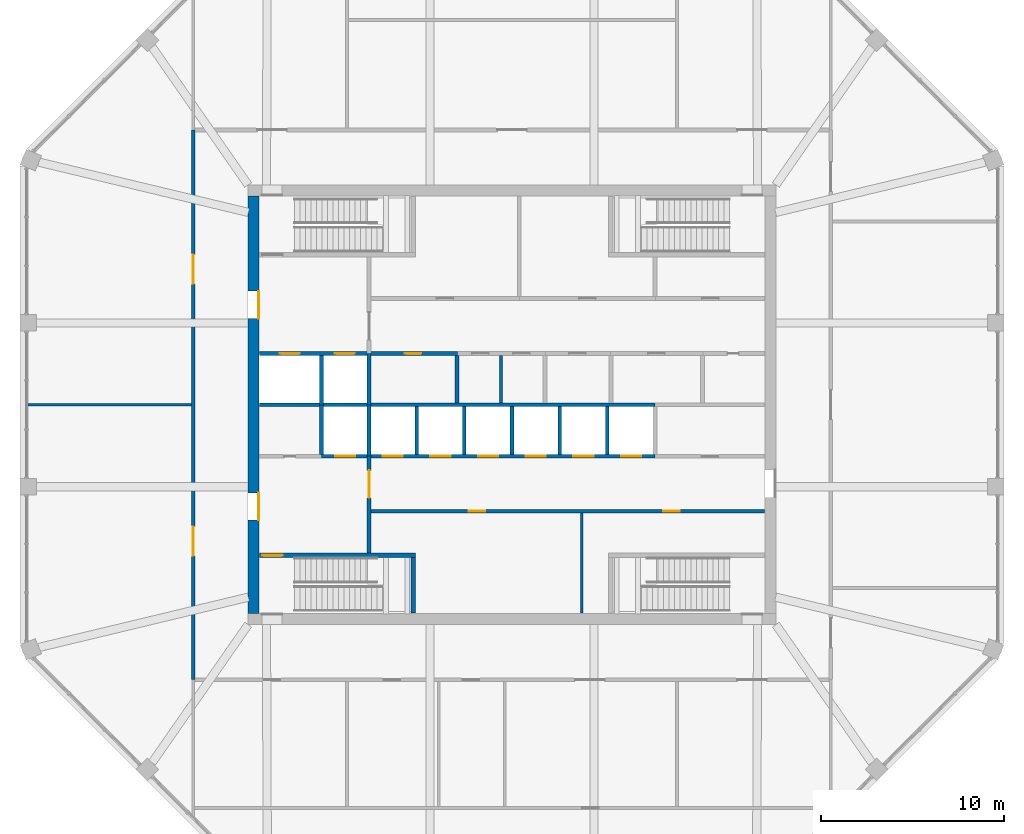
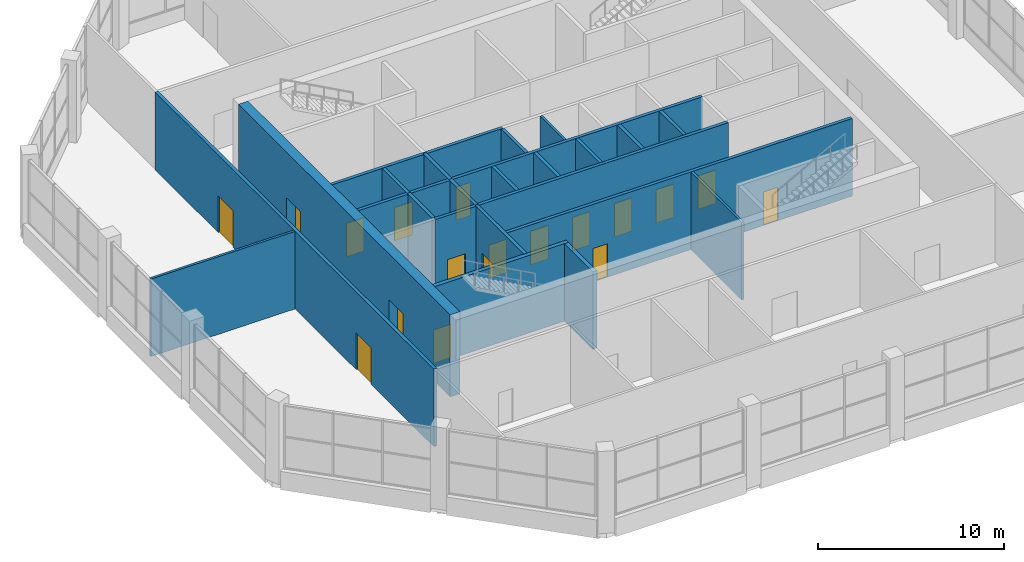
# One storey, part 12 of 15: 23 walls, 18 doors, 18 openings.
"""IFC4 building model written with IfcOpenShell, lengths in metres."""

import ifcopenshell
import ifcopenshell.guid

model = None  # the IFC model being written
_history = None  # IfcOwnerHistory: only IFC2X3 demands one
_inside = {}  # id of a spatial element -> (the spatial element, [elements in it])
_under = {}  # id of a project, library or spatial element -> (it, [spatial elements below it])
_declared = {}  # id of a project -> (the project, [libraries it declares])
_typed = {}  # id of a type object -> (the type object, [elements of that type])
_made_of = {}  # id of a material, layer set ... -> (it, [elements and type objects made of it])


def new_model(schema):
    """Start an empty IFC model of exactly this schema.

    Asked for "IFC4X3", IfcOpenShell would pick the latest addendum, in which some entities
    have other attributes; the version numbers below select the first issue.
    IFC2X3 requires an IfcOwnerHistory on every rooted entity: one is made here for all.
    """
    global model, _history
    if schema == "IFC4X3":
        model = ifcopenshell.file(schema_version=(4, 3, 0, 0))
    else:
        model = ifcopenshell.file(schema=schema)
    _inside.clear()
    _under.clear()
    _declared.clear()
    _typed.clear()
    _made_of.clear()
    _history = None
    if model.schema == "IFC2X3":
        org = make("IfcOrganization", Name="unknown")
        user = make(
            "IfcPersonAndOrganization",
            ThePerson=make("IfcPerson", FamilyName="unknown"),
            TheOrganization=org,
        )
        app = make(
            "IfcApplication",
            ApplicationDeveloper=org,
            Version="unknown",
            ApplicationFullName="unknown",
            ApplicationIdentifier="unknown",
        )
        _history = make(
            "IfcOwnerHistory",
            OwningUser=user,
            OwningApplication=app,
            ChangeAction="ADDED",
            CreationDate=0,
        )
    return model


def make(cls, **values):
    """One entity of the class cls with the attributes given. An attribute that is None is left unset."""
    return model.create_entity(
        cls, **{name: value for name, value in values.items() if value is not None}
    )


def rooted(cls, **values):
    """An entity with a GlobalId (a new one), such as an element, a storey or a relation."""
    return make(cls, GlobalId=ifcopenshell.guid.new(), OwnerHistory=_history, **values)


def si_unit(unit_type, name, prefix=None):
    """IfcSIUnit, for example si_unit("LENGTHUNIT", "METRE", prefix="MILLI")."""
    return make("IfcSIUnit", UnitType=unit_type, Prefix=prefix, Name=name)


def assignment(units):
    """IfcUnitAssignment: the units of a project."""
    return None if units is None else make("IfcUnitAssignment", Units=units)


def point(xyz):
    """IfcCartesianPoint."""
    return None if xyz is None else make("IfcCartesianPoint", Coordinates=xyz)


def direction(xyz):
    """IfcDirection."""
    return None if xyz is None else make("IfcDirection", DirectionRatios=xyz)


def frame(location, z_axis=None, x_axis=None):
    """IfcAxis2Placement3D, a coordinate frame: its origin and axes. An axis left out is left unset."""
    return make(
        "IfcAxis2Placement3D",
        Location=point(location),
        Axis=direction(z_axis),
        RefDirection=direction(x_axis),
    )


def frame_2d(location, x_axis=None):
    """IfcAxis2Placement2D, a coordinate frame in the plane: its origin and x axis."""
    return make(
        "IfcAxis2Placement2D", Location=point(location), RefDirection=direction(x_axis)
    )


def origin():
    """The frame at (0, 0, 0) with its axes left unset."""
    return frame((0.0, 0.0, 0.0))


def place(relative_to, where):
    """IfcLocalPlacement: puts the frame where relative to a parent placement (None: the world)."""
    return make(
        "IfcLocalPlacement", PlacementRelTo=relative_to, RelativePlacement=where
    )


def context(
    kind, dimensions, precision=None, world=None, true_north=None, identifier=None
):
    """IfcGeometricRepresentationContext, for example the 3D "Model" context."""
    return make(
        "IfcGeometricRepresentationContext",
        ContextIdentifier=identifier,
        ContextType=kind,
        CoordinateSpaceDimension=dimensions,
        Precision=precision,
        WorldCoordinateSystem=world,
        TrueNorth=true_north,
    )


def subcontext(parent, identifier, kind, view, scale=None):
    """IfcGeometricRepresentationSubContext, for example "Body" below "Model"."""
    return make(
        "IfcGeometricRepresentationSubContext",
        ContextIdentifier=identifier,
        ContextType=kind,
        ParentContext=parent,
        TargetScale=scale,
        TargetView=view,
    )


def project(units=None, contexts=None):
    """IfcProject with its units and contexts."""
    return rooted(
        "IfcProject",
        Name="project",
        RepresentationContexts=contexts,
        UnitsInContext=assignment(units),
    )


def spatial(cls, under=None, at=None, **own):
    """A site, building, storey or space (cls), placed at a placement, below another one or the project."""
    s = rooted(cls, ObjectPlacement=at, **own)
    if under is not None:
        _under.setdefault(under.id(), (under, []))[1].append(s)
    return s


def profile(cls, at=None, kind="AREA", **sizes):
    """A parametric profile (cls). Its sizes go by their IFC names, for example OverallWidth=200.0."""
    return make(cls, ProfileType=kind, Position=at, **sizes)


def rectangle(**sizes):
    """IfcRectangleProfileDef."""
    return profile("IfcRectangleProfileDef", **sizes)


def extrude(swept, where, along, depth):
    """IfcExtrudedAreaSolid: the profile swept, set in the frame where, extruded along a direction by depth."""
    return make(
        "IfcExtrudedAreaSolid",
        SweptArea=swept,
        Position=where,
        ExtrudedDirection=direction(along),
        Depth=depth,
    )


def shape(context_of_items, identifier, shape_type, items):
    """IfcShapeRepresentation: the items that make up one representation, for example the "Body"."""
    return make(
        "IfcShapeRepresentation",
        ContextOfItems=context_of_items,
        RepresentationIdentifier=identifier,
        RepresentationType=shape_type,
        Items=items,
    )


def material(Name=None, Category=None):
    """IfcMaterial."""
    return make("IfcMaterial", Name=Name, Category=Category)


def layer(
    of_material, thickness, ventilated=None, Name=None, Category=None, Priority=None
):
    """IfcMaterialLayer: one layer of a wall or slab, of a material (None: an air gap)."""
    return make(
        "IfcMaterialLayer",
        Material=of_material,
        LayerThickness=thickness,
        IsVentilated=ventilated,
        Name=Name,
        Category=Category,
        Priority=Priority,
    )


def layer_set(layers, Name=None):
    """IfcMaterialLayerSet."""
    return make("IfcMaterialLayerSet", MaterialLayers=layers, LayerSetName=Name)


def made_of(thing, what):
    """Note that an element or type object is made of a material, layer set ...; save() writes the relation."""
    if what is not None:
        _made_of.setdefault(what.id(), (what, []))[1].append(thing)
    return thing


def type_object(cls, material=None, **own):
    """A type object (cls), such as IfcWallType, which elements share."""
    return made_of(rooted(cls, **own), material)


def element(
    cls,
    number,
    at=None,
    inside=None,
    cuts=None,
    type_object=None,
    material=None,
    context=None,
    identifier="Body",
    shape_type=None,
    held_by="IfcProductDefinitionShape",
    body=None,
    shapes=None,
    **own,
):
    """One element of the class cls, such as IfcWall. Its Tag is "e" and its number.

    at: its placement. inside: the storey or other place that contains it. cuts: it is an
    opening in that element (IfcRelVoidsElement). A single representation is given by context,
    identifier, shape_type and body (its items); several are given by shapes. held_by: the class
    of the entity that holds the representations. save() writes the other relations.
    """
    e = rooted(cls, Tag="e%d" % number, ObjectPlacement=at, **own)
    if body is not None:
        shapes = [shape(context, identifier, shape_type, body)]
    if shapes is not None:
        e.Representation = make(held_by, Representations=shapes)
    if inside is not None:
        _inside.setdefault(inside.id(), (inside, []))[1].append(e)
    if cuts is not None:
        rooted(
            "IfcRelVoidsElement", RelatingBuildingElement=cuts, RelatedOpeningElement=e
        )
    if type_object is not None:
        _typed.setdefault(type_object.id(), (type_object, []))[1].append(e)
    return made_of(e, material)


def fill(opening, filler):
    """IfcRelFillsElement: the door or window that sits in an opening."""
    return rooted(
        "IfcRelFillsElement",
        RelatingOpeningElement=opening,
        RelatedBuildingElement=filler,
    )


def aggregate(whole, parts):
    """IfcRelAggregates: a whole, such as a stair, and the parts it consists of."""
    return rooted("IfcRelAggregates", RelatingObject=whole, RelatedObjects=parts)


def save(model, path):
    """Write the relations noted so far, then the file.

    IfcRelAggregates (storeys below a building ...), IfcRelContainedInSpatialStructure (elements
    in a storey), IfcRelDefinesByType, IfcRelAssociatesMaterial and IfcRelDeclares: one each for
    every whole, place, type object, material and project.
    """
    for whole, parts in _under.values():
        aggregate(whole, parts)
    for where, things in _inside.values():
        rooted(
            "IfcRelContainedInSpatialStructure",
            RelatedElements=things,
            RelatingStructure=where,
        )
    for kind, things in _typed.values():
        rooted("IfcRelDefinesByType", RelatedObjects=things, RelatingType=kind)
    for what, things in _made_of.values():
        rooted("IfcRelAssociatesMaterial", RelatedObjects=things, RelatingMaterial=what)
    for by, libraries in _declared.values():
        rooted("IfcRelDeclares", RelatingContext=by, RelatedDefinitions=libraries)
    model.write(path)


model = new_model("IFC4")

# Units and contexts
model_context = context("Model", 3, precision=1e-05, world=origin(), true_north=direction((0.0, 1.0)))
body_context = subcontext(model_context, "Body", "Model", "MODEL_VIEW")
ifc_project = project(units=[si_unit("LENGTHUNIT", "METRE"), si_unit("AREAUNIT", "SQUARE_METRE"), si_unit("VOLUMEUNIT", "CUBIC_METRE"), si_unit("PLANEANGLEUNIT", "RADIAN"), si_unit("MASSUNIT", "GRAM", prefix="KILO")], contexts=[model_context])

# Site, building, storey
site_placement = place(None, origin())
site = spatial("IfcSite", under=ifc_project, at=site_placement, CompositionType="ELEMENT")
building_placement = place(site_placement, origin())
building = spatial("IfcBuilding", under=site, at=building_placement, Name="Msitu Wima Residences", CompositionType="ELEMENT")
storey_placement = place(building_placement, frame((0.0, 0.0, 314.699951171875)))
storey = spatial("IfcBuildingStorey", under=building, at=storey_placement, Name="L73", CompositionType="ELEMENT", Elevation=314.699951171875)

# Wall, openings, doors
ifc_material_1 = material(Name="Concrete C50/60", Category="concrete")
ifc_layer_1 = layer(ifc_material_1, 0.60009765625)
ifc_layer_set_1 = layer_set([ifc_layer_1], Name="Concrete C50/60")
wall_type_1 = type_object("IfcWallType", Name="Core wall CW600 C50/60", PredefinedType="SHEAR", material=ifc_layer_set_1)
wall_1_placement = place(storey_placement, frame((-14.10009765625, -11.39990234375, 0.0), z_axis=(0.0, 0.0, 1.0), x_axis=(0.0, 1.0, 0.0)))
wall_1 = element("IfcWall", 1, at=wall_1_placement, inside=storey, type_object=wall_type_1, Name="Core wall", PredefinedType="SHEAR", context=body_context, shape_type="SweptSolid", body=[
    extrude(rectangle(XDim=22.7998046875, YDim=0.60009765625, at=frame_2d((11.39990234375, 0.0))), origin(), (0.0, 0.0, 1.0), 5.400146484375),
])
opening_1_placement = place(wall_1_placement, frame((16.10009765625, 0.0, 0.0)))
opening_1 = element("IfcOpeningElement", 2, at=opening_1_placement, cuts=wall_1, Name="Opening D73.034", PredefinedType="OPENING", context=body_context, shape_type="SweptSolid", body=[
    extrude(rectangle(XDim=1.5, YDim=2.39990234375, at=frame_2d((0.75, 1.199951171875))), frame((0.0, 0.31005859375, 0.0), z_axis=(0.0, -1.0, 0.0), x_axis=(1.0, 0.0, 0.0)), (0.0, 0.0, 1.0), 0.6201171875),
])
opening_2_placement = place(wall_1_placement, frame((5.10009765625, 0.0, 0.0)))
opening_2 = element("IfcOpeningElement", 3, at=opening_2_placement, cuts=wall_1, Name="Opening D73.035", PredefinedType="OPENING", context=body_context, shape_type="SweptSolid", body=[
    extrude(rectangle(XDim=1.5, YDim=2.39990234375, at=frame_2d((0.75, 1.199951171875))), frame((0.0, 0.31005859375, 0.0), z_axis=(0.0, -1.0, 0.0), x_axis=(1.0, 0.0, 0.0)), (0.0, 0.0, 1.0), 0.6201171875),
])
ifc_material_2 = material(Name="Steel framed glazed door, fire resisting", Category="steel")
door_type_1 = type_object("IfcDoorType", Name="Lobby door D07 1500x2400", OperationType="DOUBLE_DOOR_SINGLE_SWING", PredefinedType="DOOR", material=ifc_material_2)
door_1_placement = place(opening_1_placement, origin())
door_1 = element("IfcDoor", 4, at=door_1_placement, inside=storey, type_object=door_type_1, Name="Lobby door", OperationType="DOUBLE_DOOR_SINGLE_SWING", OverallHeight=2.39990234375, OverallWidth=1.5, PredefinedType="DOOR", context=body_context, shape_type="SweptSolid", body=[
    extrude(rectangle(XDim=1.5, YDim=2.39990234375, at=frame_2d((0.75, 1.199951171875))), frame((0.0, -0.2451171875, 0.0), z_axis=(0.0, -1.0, 0.0), x_axis=(1.0, 0.0, 0.0)), (0.0, 0.0, 1.0), 0.050048828125),
])
fill(opening_1, door_1)
door_2_placement = place(opening_2_placement, origin())
door_2 = element("IfcDoor", 5, at=door_2_placement, inside=storey, type_object=door_type_1, Name="Lobby door", OperationType="DOUBLE_DOOR_SINGLE_SWING", OverallHeight=2.39990234375, OverallWidth=1.5, PredefinedType="DOOR", context=body_context, shape_type="SweptSolid", body=[
    extrude(rectangle(XDim=1.5, YDim=2.39990234375, at=frame_2d((0.75, 1.199951171875))), frame((0.0, -0.2451171875, 0.0), z_axis=(0.0, -1.0, 0.0), x_axis=(1.0, 0.0, 0.0)), (0.0, 0.0, 1.0), 0.050048828125),
])
fill(opening_2, door_2)

ifc_material_3 = material(Name="Plaster")
ifc_layer_2 = layer(ifc_material_3, 0.011962890625, Name="Plaster")
ifc_material_4 = material(Name="Concrete blockwork", Category="masonry")
ifc_layer_3 = layer(ifc_material_4, 0.176025390625, Name="Concrete blockwork")
ifc_layer_4 = layer(ifc_material_3, 0.011962890625, Name="Plaster")
ifc_layer_set_2 = layer_set([ifc_layer_2, ifc_layer_3, ifc_layer_4], Name="Concrete blockwork")
wall_type_2 = type_object("IfcWallType", Name="Corridor wall FW200", PredefinedType="PARTITIONING", material=ifc_layer_set_2)
wall_2_placement = place(storey_placement, frame((-17.39990234375, -15.0, 0.0), z_axis=(0.0, 0.0, 1.0), x_axis=(0.0, 1.0, 0.0)))
wall_2 = element("IfcWall", 6, at=wall_2_placement, inside=storey, type_object=wall_type_2, Name="Corridor wall", PredefinedType="PARTITIONING", context=body_context, shape_type="SweptSolid", body=[
    extrude(rectangle(XDim=30.0, YDim=0.199951171875, at=frame_2d((15.0, 0.0))), origin(), (0.0, 0.0, 1.0), 5.10009765625),
])
opening_3_placement = place(wall_2_placement, frame((6.75, 0.0, 0.0)))
opening_3 = element("IfcOpeningElement", 7, at=opening_3_placement, cuts=wall_2, Name="Opening D73.025", PredefinedType="OPENING", context=body_context, shape_type="SweptSolid", body=[
    extrude(rectangle(XDim=1.60009765625, YDim=2.39990234375, at=frame_2d((0.800048828125, 1.199951171875))), frame((0.0, 0.10986328125, 0.0), z_axis=(0.0, -1.0, 0.0), x_axis=(1.0, 0.0, 0.0)), (0.0, 0.0, 1.0), 0.219970703125),
])
opening_4_placement = place(wall_2_placement, frame((21.60009765625, 0.0, 0.0)))
opening_4 = element("IfcOpeningElement", 8, at=opening_4_placement, cuts=wall_2, Name="Opening D73.026", PredefinedType="OPENING", context=body_context, shape_type="SweptSolid", body=[
    extrude(rectangle(XDim=1.60009765625, YDim=2.39990234375, at=frame_2d((0.800048828125, 1.199951171875))), frame((0.0, 0.10986328125, 0.0), z_axis=(0.0, -1.0, 0.0), x_axis=(1.0, 0.0, 0.0)), (0.0, 0.0, 1.0), 0.219970703125),
])
ifc_material_5 = material(Name="Black aluminium glazed door", Category="aluminium")
door_type_2 = type_object("IfcDoorType", Name="Amenity door D10 1600x2400", OperationType="DOUBLE_DOOR_SINGLE_SWING", PredefinedType="DOOR", material=ifc_material_5)
door_3_placement = place(opening_3_placement, origin())
door_3 = element("IfcDoor", 9, at=door_3_placement, inside=storey, type_object=door_type_2, Name="Amenity door", OperationType="DOUBLE_DOOR_SINGLE_SWING", OverallHeight=2.39990234375, OverallWidth=1.60009765625, PredefinedType="DOOR", context=body_context, shape_type="SweptSolid", body=[
    extrude(rectangle(XDim=1.60009765625, YDim=2.39990234375, at=frame_2d((0.800048828125, 1.199951171875))), frame((0.0, 0.02490234375, 0.0), z_axis=(0.0, -1.0, 0.0), x_axis=(1.0, 0.0, 0.0)), (0.0, 0.0, 1.0), 0.050048828125),
])
fill(opening_3, door_3)
door_4_placement = place(opening_4_placement, origin())
door_4 = element("IfcDoor", 10, at=door_4_placement, inside=storey, type_object=door_type_2, Name="Amenity door", OperationType="DOUBLE_DOOR_SINGLE_SWING", OverallHeight=2.39990234375, OverallWidth=1.60009765625, PredefinedType="DOOR", context=body_context, shape_type="SweptSolid", body=[
    extrude(rectangle(XDim=1.60009765625, YDim=2.39990234375, at=frame_2d((0.800048828125, 1.199951171875))), frame((0.0, 0.02490234375, 0.0), z_axis=(0.0, -1.0, 0.0), x_axis=(1.0, 0.0, 0.0)), (0.0, 0.0, 1.0), 0.050048828125),
])
fill(opening_4, door_4)

# Wall, opening, door
wall_3_placement = place(storey_placement, frame((-7.800048828125, -8.074951171875, 0.0), z_axis=(0.0, 0.0, 1.0), x_axis=(0.0, 1.0, 0.0)))
wall_3 = element("IfcWall", 11, at=wall_3_placement, inside=storey, type_object=wall_type_2, Name="Corridor wall", PredefinedType="PARTITIONING", context=body_context, shape_type="SweptSolid", body=[
    extrude(rectangle(XDim=5.27490234375, YDim=0.199951171875, at=frame_2d((2.637451171875, 0.0))), origin(), (0.0, 0.0, 1.0), 5.10009765625),
])
opening_5_placement = place(wall_3_placement, frame((3.0, 0.0, 0.0)))
opening_5 = element("IfcOpeningElement", 12, at=opening_5_placement, cuts=wall_3, Name="Opening D73.003", PredefinedType="OPENING", context=body_context, shape_type="SweptSolid", body=[
    extrude(rectangle(XDim=1.5, YDim=2.39990234375, at=frame_2d((0.75, 1.199951171875))), frame((0.0, 0.10986328125, 0.0), z_axis=(0.0, -1.0, 0.0), x_axis=(1.0, 0.0, 0.0)), (0.0, 0.0, 1.0), 0.219970703125),
])
door_5_placement = place(opening_5_placement, origin())
door_5 = element("IfcDoor", 13, at=door_5_placement, inside=storey, type_object=door_type_1, Name="Lobby door", OperationType="DOUBLE_DOOR_SINGLE_SWING", OverallHeight=2.39990234375, OverallWidth=1.5, PredefinedType="DOOR", context=body_context, shape_type="SweptSolid", body=[
    extrude(rectangle(XDim=1.5, YDim=2.39990234375, at=frame_2d((0.75, 1.199951171875))), frame((0.0, 0.02490234375, 0.0), z_axis=(0.0, -1.0, 0.0), x_axis=(1.0, 0.0, 0.0)), (0.0, 0.0, 1.0), 0.050048828125),
])
fill(opening_5, door_5)

# Wall, openings, doors
wall_4_placement = place(storey_placement, frame((-7.699951171875, -5.800048828125, 0.0), z_axis=(0.0, 0.0, 1.0), x_axis=(1.0, 0.0, 0.0)))
wall_4 = element("IfcWall", 14, at=wall_4_placement, inside=storey, type_object=wall_type_2, Name="Corridor wall", PredefinedType="PARTITIONING", context=body_context, shape_type="SweptSolid", body=[
    extrude(rectangle(XDim=21.469970703125, YDim=0.199951171875, at=frame_2d((10.73486328125, 0.0))), origin(), (0.0, 0.0, 1.0), 5.10009765625),
])
opening_6_placement = place(wall_4_placement, frame((5.35009765625, 0.0, 0.0)))
opening_6 = element("IfcOpeningElement", 15, at=opening_6_placement, cuts=wall_4, Name="Opening D73.007", PredefinedType="OPENING", context=body_context, shape_type="SweptSolid", body=[
    extrude(rectangle(XDim=0.89990234375, YDim=2.199951171875, at=frame_2d((0.449951171875, 1.10009765625))), frame((0.0, 0.10986328125, 0.0), z_axis=(0.0, -1.0, 0.0), x_axis=(1.0, 0.0, 0.0)), (0.0, 0.0, 1.0), 0.219970703125),
])
opening_7_placement = place(wall_4_placement, frame((15.949951171875, 0.0, 0.0)))
opening_7 = element("IfcOpeningElement", 16, at=opening_7_placement, cuts=wall_4, Name="Opening D73.008", PredefinedType="OPENING", context=body_context, shape_type="SweptSolid", body=[
    extrude(rectangle(XDim=0.89990234375, YDim=2.199951171875, at=frame_2d((0.449951171875, 1.10009765625))), frame((0.0, 0.10986328125, 0.0), z_axis=(0.0, -1.0, 0.0), x_axis=(1.0, 0.0, 0.0)), (0.0, 0.0, 1.0), 0.219970703125),
])
ifc_material_6 = material(Name="Timber flush door", Category="wood")
door_type_3 = type_object("IfcDoorType", Name="Service door D05 900x2200", OperationType="SINGLE_SWING_LEFT", PredefinedType="DOOR", material=ifc_material_6)
door_6_placement = place(opening_6_placement, origin())
door_6 = element("IfcDoor", 17, at=door_6_placement, inside=storey, type_object=door_type_3, Name="Service door", OperationType="SINGLE_SWING_RIGHT", OverallHeight=2.199951171875, OverallWidth=0.89990234375, PredefinedType="DOOR", context=body_context, shape_type="SweptSolid", body=[
    extrude(rectangle(XDim=0.89990234375, YDim=2.199951171875, at=frame_2d((0.449951171875, 1.10009765625))), frame((0.0, 0.02490234375, 0.0), z_axis=(0.0, -1.0, 0.0), x_axis=(1.0, 0.0, 0.0)), (0.0, 0.0, 1.0), 0.050048828125),
])
fill(opening_6, door_6)
door_7_placement = place(opening_7_placement, origin())
door_7 = element("IfcDoor", 18, at=door_7_placement, inside=storey, type_object=door_type_3, Name="Service door", OperationType="SINGLE_SWING_LEFT", OverallHeight=2.199951171875, OverallWidth=0.89990234375, PredefinedType="DOOR", context=body_context, shape_type="SweptSolid", body=[
    extrude(rectangle(XDim=0.89990234375, YDim=2.199951171875, at=frame_2d((0.449951171875, 1.10009765625))), frame((0.0, 0.02490234375, 0.0), z_axis=(0.0, -1.0, 0.0), x_axis=(1.0, 0.0, 0.0)), (0.0, 0.0, 1.0), 0.050048828125),
])
fill(opening_7, door_7)

# Walls
ifc_layer_5 = layer(ifc_material_3, 0.011962890625, Name="Plaster")
ifc_layer_6 = layer(ifc_material_4, 0.1259765625, Name="Concrete blockwork")
ifc_layer_7 = layer(ifc_material_3, 0.011962890625, Name="Plaster")
ifc_layer_set_3 = layer_set([ifc_layer_5, ifc_layer_6, ifc_layer_7], Name="Concrete blockwork")
wall_type_3 = type_object("IfcWallType", Name="Partition PW150", PredefinedType="PARTITIONING", material=ifc_layer_set_3)
wall_5_placement = place(storey_placement, frame((-26.455078125, 0.0, 0.0), z_axis=(0.0, 0.0, 1.0), x_axis=(1.0, 0.0, 0.0)))
element("IfcWall", 19, at=wall_5_placement, inside=storey, type_object=wall_type_3, Name="Partition", PredefinedType="PARTITIONING", context=body_context, shape_type="SweptSolid", body=[
    extrude(rectangle(XDim=8.955078125, YDim=0.14990234375, at=frame_2d((4.4775390625, 0.0))), origin(), (0.0, 0.0, 1.0), 5.10009765625),
])
wall_6_placement = place(storey_placement, frame((-0.60009765625, 0.10009765625, 0.0), z_axis=(0.0, 0.0, 1.0), x_axis=(0.0, 1.0, 0.0)))
element("IfcWall", 20, at=wall_6_placement, inside=storey, type_object=wall_type_3, Name="Partition", PredefinedType="PARTITIONING", context=body_context, shape_type="SweptSolid", body=[
    extrude(rectangle(XDim=2.599853515625, YDim=0.14990234375, at=frame_2d((1.2998046875, 0.0))), origin(), (0.0, 0.0, 1.0), 5.10009765625),
])
wall_7_placement = place(storey_placement, frame((3.800048828125, -11.3701171875, 0.0), z_axis=(0.0, 0.0, 1.0), x_axis=(0.0, 1.0, 0.0)))
element("IfcWall", 21, at=wall_7_placement, inside=storey, type_object=wall_type_3, Name="Partition", PredefinedType="PARTITIONING", context=body_context, shape_type="SweptSolid", body=[
    extrude(rectangle(XDim=5.47021484375, YDim=0.14990234375, at=frame_2d((2.735107421875, 0.0))), origin(), (0.0, 0.0, 1.0), 5.10009765625),
])

# Wall, opening, door
ifc_layer_8 = layer(ifc_material_3, 0.011962890625, Name="Plaster")
ifc_material_7 = material(Name="Reinforced concrete blockwork", Category="masonry")
ifc_layer_9 = layer(ifc_material_7, 0.176025390625, Name="Reinforced concrete blockwork")
ifc_layer_10 = layer(ifc_material_3, 0.011962890625, Name="Plaster")
ifc_layer_set_4 = layer_set([ifc_layer_8, ifc_layer_9, ifc_layer_10], Name="Reinforced concrete blockwork")
wall_type_4 = type_object("IfcWallType", Name="Plant and riser wall PL200", PredefinedType="PARTITIONING", material=ifc_layer_set_4)
wall_8_placement = place(storey_placement, frame((-7.800048828125, 2.800048828125, 0.0), z_axis=(0.0, 0.0, 1.0), x_axis=(1.0, 0.0, 0.0)))
wall_8 = element("IfcWall", 22, at=wall_8_placement, inside=storey, type_object=wall_type_4, Name="Plant and riser wall", PredefinedType="PARTITIONING", context=body_context, shape_type="SweptSolid", body=[
    extrude(rectangle(XDim=4.820068359375, YDim=0.199951171875, at=frame_2d((2.41015625, 0.0))), origin(), (0.0, 0.0, 1.0), 5.10009765625),
])
opening_8_placement = place(wall_8_placement, frame((1.949951171875, 0.0, 0.0)))
opening_8 = element("IfcOpeningElement", 23, at=opening_8_placement, cuts=wall_8, Name="Opening D73.009", PredefinedType="OPENING", context=body_context, shape_type="SweptSolid", body=[
    extrude(rectangle(XDim=0.89990234375, YDim=2.199951171875, at=frame_2d((0.449951171875, 1.10009765625))), frame((0.0, 0.10986328125, 0.0), z_axis=(0.0, -1.0, 0.0), x_axis=(1.0, 0.0, 0.0)), (0.0, 0.0, 1.0), 0.219970703125),
])
door_8_placement = place(opening_8_placement, origin())
door_8 = element("IfcDoor", 24, at=door_8_placement, inside=storey, type_object=door_type_3, Name="Service door", OperationType="SINGLE_SWING_RIGHT", OverallHeight=2.199951171875, OverallWidth=0.89990234375, PredefinedType="DOOR", context=body_context, shape_type="SweptSolid", body=[
    extrude(rectangle(XDim=0.89990234375, YDim=2.199951171875, at=frame_2d((0.449951171875, 1.10009765625))), frame((0.0, 0.02490234375, 0.0), z_axis=(0.0, -1.0, 0.0), x_axis=(1.0, 0.0, 0.0)), (0.0, 0.0, 1.0), 0.050048828125),
])
fill(opening_8, door_8)

# Walls
wall_9_placement = place(storey_placement, frame((-3.0, 0.10009765625, 0.0), z_axis=(0.0, 0.0, 1.0), x_axis=(0.0, 1.0, 0.0)))
element("IfcWall", 25, at=wall_9_placement, inside=storey, type_object=wall_type_4, Name="Plant and riser wall", PredefinedType="PARTITIONING", context=body_context, shape_type="SweptSolid", body=[
    extrude(rectangle(XDim=2.599853515625, YDim=0.199951171875, at=frame_2d((1.2998046875, 0.0))), origin(), (0.0, 0.0, 1.0), 5.10009765625),
])
ifc_material_8 = material(Name="Fire-rated board")
ifc_layer_11 = layer(ifc_material_8, 0.02490234375, Name="Fire-rated board")
ifc_material_9 = material(Name="Light-gauge stud framing with mineral wool")
ifc_layer_12 = layer(ifc_material_9, 0.14990234375, Name="Light-gauge stud framing with mineral wool")
ifc_layer_13 = layer(ifc_material_8, 0.02490234375, Name="Fire-rated board")
ifc_layer_set_5 = layer_set([ifc_layer_11, ifc_layer_12, ifc_layer_13], Name="Light-gauge stud framing with mineral wool")
wall_type_5 = type_object("IfcWallType", Name="Shaft wall SH200", PredefinedType="PARTITIONING", material=ifc_layer_set_5)
wall_10_placement = place(storey_placement, frame((-13.77001953125, 0.0, 0.0), z_axis=(0.0, 0.0, 1.0), x_axis=(1.0, 0.0, 0.0)))
element("IfcWall", 26, at=wall_10_placement, inside=storey, type_object=wall_type_5, Name="Shaft wall", PredefinedType="PARTITIONING", context=body_context, shape_type="SweptSolid", body=[
    extrude(rectangle(XDim=21.570068359375, YDim=0.199951171875, at=frame_2d((10.78515625, 0.0))), origin(), (0.0, 0.0, 1.0), 5.10009765625),
])

# Wall, openings, doors
wall_11_placement = place(storey_placement, frame((-13.77001953125, 2.800048828125, 0.0), z_axis=(0.0, 0.0, 1.0), x_axis=(1.0, 0.0, 0.0)))
wall_11 = element("IfcWall", 27, at=wall_11_placement, inside=storey, type_object=wall_type_5, Name="Shaft wall", PredefinedType="PARTITIONING", context=body_context, shape_type="SweptSolid", body=[
    extrude(rectangle(XDim=5.969970703125, YDim=0.199951171875, at=frame_2d((2.98486328125, 0.0))), origin(), (0.0, 0.0, 1.0), 5.10009765625),
])
opening_9_placement = place(wall_11_placement, frame((1.10009765625, 0.0, 0.0)))
opening_9 = element("IfcOpeningElement", 28, at=opening_9_placement, cuts=wall_11, Name="Opening LD", PredefinedType="OPENING", context=body_context, shape_type="SweptSolid", body=[
    extrude(rectangle(XDim=1.10009765625, YDim=2.199951171875, at=frame_2d((0.550048828125, 1.10009765625))), frame((0.0, 0.10986328125, 0.0), z_axis=(0.0, -1.0, 0.0), x_axis=(1.0, 0.0, 0.0)), (0.0, 0.0, 1.0), 0.219970703125),
])
opening_10_placement = place(wall_11_placement, frame((4.10009765625, 0.0, 0.0)))
opening_10 = element("IfcOpeningElement", 29, at=opening_10_placement, cuts=wall_11, Name="Opening LD", PredefinedType="OPENING", context=body_context, shape_type="SweptSolid", body=[
    extrude(rectangle(XDim=1.10009765625, YDim=2.199951171875, at=frame_2d((0.550048828125, 1.10009765625))), frame((0.0, 0.10986328125, 0.0), z_axis=(0.0, -1.0, 0.0), x_axis=(1.0, 0.0, 0.0)), (0.0, 0.0, 1.0), 0.219970703125),
])
ifc_material_10 = material(Name="Stainless steel centre-opening landing door, rated", Category="steel")
door_type_4 = type_object("IfcDoorType", Name="Lift landing door LD 1100x2200", OperationType="DOUBLE_DOOR_SLIDING", PredefinedType="DOOR", material=ifc_material_10)
door_9_placement = place(opening_9_placement, origin())
door_9 = element("IfcDoor", 30, at=door_9_placement, inside=storey, type_object=door_type_4, Name="Lift landing door LD1", OperationType="DOUBLE_DOOR_SLIDING", OverallHeight=2.199951171875, OverallWidth=1.10009765625, PredefinedType="DOOR", context=body_context, shape_type="SweptSolid", body=[
    extrude(rectangle(XDim=1.10009765625, YDim=2.199951171875, at=frame_2d((0.550048828125, 1.10009765625))), frame((0.0, 0.02490234375, 0.0), z_axis=(0.0, -1.0, 0.0), x_axis=(1.0, 0.0, 0.0)), (0.0, 0.0, 1.0), 0.050048828125),
])
fill(opening_9, door_9)
door_10_placement = place(opening_10_placement, origin())
door_10 = element("IfcDoor", 31, at=door_10_placement, inside=storey, type_object=door_type_4, Name="Lift landing door LD2", OperationType="DOUBLE_DOOR_SLIDING", OverallHeight=2.199951171875, OverallWidth=1.10009765625, PredefinedType="DOOR", context=body_context, shape_type="SweptSolid", body=[
    extrude(rectangle(XDim=1.10009765625, YDim=2.199951171875, at=frame_2d((0.550048828125, 1.10009765625))), frame((0.0, 0.02490234375, 0.0), z_axis=(0.0, -1.0, 0.0), x_axis=(1.0, 0.0, 0.0)), (0.0, 0.0, 1.0), 0.050048828125),
])
fill(opening_10, door_10)

# Wall
wall_12_placement = place(storey_placement, frame((-10.39990234375, -2.699951171875, 0.0), z_axis=(0.0, 0.0, 1.0), x_axis=(0.0, 1.0, 0.0)))
element("IfcWall", 32, at=wall_12_placement, inside=storey, type_object=wall_type_5, Name="Shaft wall", PredefinedType="PARTITIONING", context=body_context, shape_type="SweptSolid", body=[
    extrude(rectangle(XDim=2.699951171875, YDim=0.199951171875, at=frame_2d((1.35009765625, 0.0))), origin(), (0.0, 0.0, 1.0), 5.10009765625),
])

# Wall, openings, doors
wall_13_placement = place(storey_placement, frame((-10.39990234375, -2.800048828125, 0.0), z_axis=(0.0, 0.0, 1.0), x_axis=(1.0, 0.0, 0.0)))
wall_13 = element("IfcWall", 33, at=wall_13_placement, inside=storey, type_object=wall_type_5, Name="Shaft wall", PredefinedType="PARTITIONING", context=body_context, shape_type="SweptSolid", body=[
    extrude(rectangle(XDim=18.199951171875, YDim=0.199951171875, at=frame_2d((9.10009765625, 0.0))), origin(), (0.0, 0.0, 1.0), 5.10009765625),
])
opening_11_placement = place(wall_13_placement, frame((0.75, 0.0, 0.0)))
opening_11 = element("IfcOpeningElement", 34, at=opening_11_placement, cuts=wall_13, Name="Opening LD", PredefinedType="OPENING", context=body_context, shape_type="SweptSolid", body=[
    extrude(rectangle(XDim=1.10009765625, YDim=2.199951171875, at=frame_2d((0.550048828125, 1.10009765625))), frame((0.0, 0.10986328125, 0.0), z_axis=(0.0, -1.0, 0.0), x_axis=(1.0, 0.0, 0.0)), (0.0, 0.0, 1.0), 0.219970703125),
])
opening_12_placement = place(wall_13_placement, frame((3.35009765625, 0.0, 0.0)))
opening_12 = element("IfcOpeningElement", 35, at=opening_12_placement, cuts=wall_13, Name="Opening LD", PredefinedType="OPENING", context=body_context, shape_type="SweptSolid", body=[
    extrude(rectangle(XDim=1.10009765625, YDim=2.199951171875, at=frame_2d((0.550048828125, 1.10009765625))), frame((0.0, 0.10986328125, 0.0), z_axis=(0.0, -1.0, 0.0), x_axis=(1.0, 0.0, 0.0)), (0.0, 0.0, 1.0), 0.219970703125),
])
opening_13_placement = place(wall_13_placement, frame((5.949951171875, 0.0, 0.0)))
opening_13 = element("IfcOpeningElement", 36, at=opening_13_placement, cuts=wall_13, Name="Opening LD", PredefinedType="OPENING", context=body_context, shape_type="SweptSolid", body=[
    extrude(rectangle(XDim=1.10009765625, YDim=2.199951171875, at=frame_2d((0.550048828125, 1.10009765625))), frame((0.0, 0.10986328125, 0.0), z_axis=(0.0, -1.0, 0.0), x_axis=(1.0, 0.0, 0.0)), (0.0, 0.0, 1.0), 0.219970703125),
])
opening_14_placement = place(wall_13_placement, frame((8.550048828125, 0.0, 0.0)))
opening_14 = element("IfcOpeningElement", 37, at=opening_14_placement, cuts=wall_13, Name="Opening LD", PredefinedType="OPENING", context=body_context, shape_type="SweptSolid", body=[
    extrude(rectangle(XDim=1.10009765625, YDim=2.199951171875, at=frame_2d((0.550048828125, 1.10009765625))), frame((0.0, 0.10986328125, 0.0), z_axis=(0.0, -1.0, 0.0), x_axis=(1.0, 0.0, 0.0)), (0.0, 0.0, 1.0), 0.219970703125),
])
opening_15_placement = place(wall_13_placement, frame((11.14990234375, 0.0, 0.0)))
opening_15 = element("IfcOpeningElement", 38, at=opening_15_placement, cuts=wall_13, Name="Opening LD", PredefinedType="OPENING", context=body_context, shape_type="SweptSolid", body=[
    extrude(rectangle(XDim=1.10009765625, YDim=2.199951171875, at=frame_2d((0.550048828125, 1.10009765625))), frame((0.0, 0.10986328125, 0.0), z_axis=(0.0, -1.0, 0.0), x_axis=(1.0, 0.0, 0.0)), (0.0, 0.0, 1.0), 0.219970703125),
])
opening_16_placement = place(wall_13_placement, frame((13.75, 0.0, 0.0)))
opening_16 = element("IfcOpeningElement", 39, at=opening_16_placement, cuts=wall_13, Name="Opening LD", PredefinedType="OPENING", context=body_context, shape_type="SweptSolid", body=[
    extrude(rectangle(XDim=1.10009765625, YDim=2.199951171875, at=frame_2d((0.550048828125, 1.10009765625))), frame((0.0, 0.10986328125, 0.0), z_axis=(0.0, -1.0, 0.0), x_axis=(1.0, 0.0, 0.0)), (0.0, 0.0, 1.0), 0.219970703125),
])
opening_17_placement = place(wall_13_placement, frame((16.35009765625, 0.0, 0.0)))
opening_17 = element("IfcOpeningElement", 40, at=opening_17_placement, cuts=wall_13, Name="Opening LD", PredefinedType="OPENING", context=body_context, shape_type="SweptSolid", body=[
    extrude(rectangle(XDim=1.10009765625, YDim=2.199951171875, at=frame_2d((0.550048828125, 1.10009765625))), frame((0.0, 0.10986328125, 0.0), z_axis=(0.0, -1.0, 0.0), x_axis=(1.0, 0.0, 0.0)), (0.0, 0.0, 1.0), 0.219970703125),
])
door_11_placement = place(opening_11_placement, origin())
door_11 = element("IfcDoor", 41, at=door_11_placement, inside=storey, type_object=door_type_4, Name="Lift landing door LD3", OperationType="DOUBLE_DOOR_SLIDING", OverallHeight=2.199951171875, OverallWidth=1.10009765625, PredefinedType="DOOR", context=body_context, shape_type="SweptSolid", body=[
    extrude(rectangle(XDim=1.10009765625, YDim=2.199951171875, at=frame_2d((0.550048828125, 1.10009765625))), frame((0.0, 0.02490234375, 0.0), z_axis=(0.0, -1.0, 0.0), x_axis=(1.0, 0.0, 0.0)), (0.0, 0.0, 1.0), 0.050048828125),
])
fill(opening_11, door_11)
door_12_placement = place(opening_12_placement, origin())
door_12 = element("IfcDoor", 42, at=door_12_placement, inside=storey, type_object=door_type_4, Name="Lift landing door LD5", OperationType="DOUBLE_DOOR_SLIDING", OverallHeight=2.199951171875, OverallWidth=1.10009765625, PredefinedType="DOOR", context=body_context, shape_type="SweptSolid", body=[
    extrude(rectangle(XDim=1.10009765625, YDim=2.199951171875, at=frame_2d((0.550048828125, 1.10009765625))), frame((0.0, 0.02490234375, 0.0), z_axis=(0.0, -1.0, 0.0), x_axis=(1.0, 0.0, 0.0)), (0.0, 0.0, 1.0), 0.050048828125),
])
fill(opening_12, door_12)
door_13_placement = place(opening_13_placement, origin())
door_13 = element("IfcDoor", 43, at=door_13_placement, inside=storey, type_object=door_type_4, Name="Lift landing door LD7", OperationType="DOUBLE_DOOR_SLIDING", OverallHeight=2.199951171875, OverallWidth=1.10009765625, PredefinedType="DOOR", context=body_context, shape_type="SweptSolid", body=[
    extrude(rectangle(XDim=1.10009765625, YDim=2.199951171875, at=frame_2d((0.550048828125, 1.10009765625))), frame((0.0, 0.02490234375, 0.0), z_axis=(0.0, -1.0, 0.0), x_axis=(1.0, 0.0, 0.0)), (0.0, 0.0, 1.0), 0.050048828125),
])
fill(opening_13, door_13)
door_14_placement = place(opening_14_placement, origin())
door_14 = element("IfcDoor", 44, at=door_14_placement, inside=storey, type_object=door_type_4, Name="Lift landing door LD9", OperationType="DOUBLE_DOOR_SLIDING", OverallHeight=2.199951171875, OverallWidth=1.10009765625, PredefinedType="DOOR", context=body_context, shape_type="SweptSolid", body=[
    extrude(rectangle(XDim=1.10009765625, YDim=2.199951171875, at=frame_2d((0.550048828125, 1.10009765625))), frame((0.0, 0.02490234375, 0.0), z_axis=(0.0, -1.0, 0.0), x_axis=(1.0, 0.0, 0.0)), (0.0, 0.0, 1.0), 0.050048828125),
])
fill(opening_14, door_14)
door_15_placement = place(opening_15_placement, origin())
door_15 = element("IfcDoor", 45, at=door_15_placement, inside=storey, type_object=door_type_4, Name="Lift landing door LD11", OperationType="DOUBLE_DOOR_SLIDING", OverallHeight=2.199951171875, OverallWidth=1.10009765625, PredefinedType="DOOR", context=body_context, shape_type="SweptSolid", body=[
    extrude(rectangle(XDim=1.10009765625, YDim=2.199951171875, at=frame_2d((0.550048828125, 1.10009765625))), frame((0.0, 0.02490234375, 0.0), z_axis=(0.0, -1.0, 0.0), x_axis=(1.0, 0.0, 0.0)), (0.0, 0.0, 1.0), 0.050048828125),
])
fill(opening_15, door_15)
door_16_placement = place(opening_16_placement, origin())
door_16 = element("IfcDoor", 46, at=door_16_placement, inside=storey, type_object=door_type_4, Name="Lift landing door LD13", OperationType="DOUBLE_DOOR_SLIDING", OverallHeight=2.199951171875, OverallWidth=1.10009765625, PredefinedType="DOOR", context=body_context, shape_type="SweptSolid", body=[
    extrude(rectangle(XDim=1.10009765625, YDim=2.199951171875, at=frame_2d((0.550048828125, 1.10009765625))), frame((0.0, 0.02490234375, 0.0), z_axis=(0.0, -1.0, 0.0), x_axis=(1.0, 0.0, 0.0)), (0.0, 0.0, 1.0), 0.050048828125),
])
fill(opening_16, door_16)
door_17_placement = place(opening_17_placement, origin())
door_17 = element("IfcDoor", 47, at=door_17_placement, inside=storey, type_object=door_type_4, Name="Lift landing door LD15", OperationType="DOUBLE_DOOR_SLIDING", OverallHeight=2.199951171875, OverallWidth=1.10009765625, PredefinedType="DOOR", context=body_context, shape_type="SweptSolid", body=[
    extrude(rectangle(XDim=1.10009765625, YDim=2.199951171875, at=frame_2d((0.550048828125, 1.10009765625))), frame((0.0, 0.02490234375, 0.0), z_axis=(0.0, -1.0, 0.0), x_axis=(1.0, 0.0, 0.0)), (0.0, 0.0, 1.0), 0.050048828125),
])
fill(opening_17, door_17)

# Walls
wall_14_placement = place(storey_placement, frame((-10.39990234375, 0.0, 0.0), z_axis=(0.0, 0.0, 1.0), x_axis=(0.0, 1.0, 0.0)))
element("IfcWall", 48, at=wall_14_placement, inside=storey, type_object=wall_type_5, Name="Shaft wall", PredefinedType="PARTITIONING", context=body_context, shape_type="SweptSolid", body=[
    extrude(rectangle(XDim=2.699951171875, YDim=0.199951171875, at=frame_2d((1.35009765625, 0.0))), origin(), (0.0, 0.0, 1.0), 5.10009765625),
])
for number, where, z_axis, x_axis, name in (
    (49, (-7.800048828125, -2.800048828125, 0.0), (0.0, 0.0, 1.0), (0.0, 1.0, 0.0), "Shaft wall"),
    (50, (-7.800048828125, 0.0, 0.0), (0.0, 0.0, 1.0), (0.0, 1.0, 0.0), "Shaft wall"),
):
    element("IfcWall", number, at=place(storey_placement, frame(where, z_axis=z_axis, x_axis=x_axis)), inside=storey, type_object=wall_type_5, Name=name, PredefinedType="PARTITIONING", context=body_context, shape_type="SweptSolid", body=[
        extrude(rectangle(XDim=2.800048828125, YDim=0.199951171875, at=frame_2d((1.39990234375, 0.0))), origin(), (0.0, 0.0, 1.0), 5.10009765625),
    ])
for number, where, z_axis, x_axis, name in (
    (51, (-5.199951171875, -2.699951171875, 0.0), (0.0, 0.0, 1.0), (0.0, 1.0, 0.0), "Shaft wall"),
    (52, (-2.60009765625, -2.699951171875, 0.0), (0.0, 0.0, 1.0), (0.0, 1.0, 0.0), "Shaft wall"),
    (53, (0.0, -2.699951171875, 0.0), (0.0, 0.0, 1.0), (0.0, 1.0, 0.0), "Shaft wall"),
    (54, (2.60009765625, -2.699951171875, 0.0), (0.0, 0.0, 1.0), (0.0, 1.0, 0.0), "Shaft wall"),
    (55, (5.199951171875, -2.699951171875, 0.0), (0.0, 0.0, 1.0), (0.0, 1.0, 0.0), "Shaft wall"),
):
    element("IfcWall", number, at=place(storey_placement, frame(where, z_axis=z_axis, x_axis=x_axis)), inside=storey, type_object=wall_type_5, Name=name, PredefinedType="PARTITIONING", context=body_context, shape_type="SweptSolid", body=[
        extrude(rectangle(XDim=2.599853515625, YDim=0.199951171875, at=frame_2d((1.2998046875, 0.0))), origin(), (0.0, 0.0, 1.0), 5.10009765625),
    ])

# Wall, opening, door
ifc_layer_14 = layer(ifc_material_1, 0.25)
ifc_layer_set_6 = layer_set([ifc_layer_14], Name="Concrete C50/60")
wall_type_6 = type_object("IfcWallType", Name="Stair enclosure wall SW250", PredefinedType="SHEAR", material=ifc_layer_set_6)
wall_15_placement = place(storey_placement, frame((-13.77001953125, -8.199951171875, 0.0), z_axis=(0.0, 0.0, 1.0), x_axis=(1.0, 0.0, 0.0)))
wall_15 = element("IfcWall", 56, at=wall_15_placement, inside=storey, type_object=wall_type_6, Name="Stair enclosure wall", PredefinedType="SHEAR", context=body_context, shape_type="SweptSolid", body=[
    extrude(rectangle(XDim=8.4951171875, YDim=0.25, at=frame_2d((4.24755859375, 0.0))), origin(), (0.0, 0.0, 1.0), 5.10009765625),
])
opening_18_placement = place(wall_15_placement, frame((0.14990234375, 0.0, 0.0)))
opening_18 = element("IfcOpeningElement", 57, at=opening_18_placement, cuts=wall_15, Name="Opening D73.017", PredefinedType="OPENING", context=body_context, shape_type="SweptSolid", body=[
    extrude(rectangle(XDim=1.10009765625, YDim=2.199951171875, at=frame_2d((0.550048828125, 1.10009765625))), frame((0.0, 0.135009765625, 0.0), z_axis=(0.0, -1.0, 0.0), x_axis=(1.0, 0.0, 0.0)), (0.0, 0.0, 1.0), 0.27001953125),
])
ifc_material_11 = material(Name="Steel door, fire resisting, panic bar", Category="steel")
door_type_5 = type_object("IfcDoorType", Name="Stair door D06 1100x2200", OperationType="SINGLE_SWING_LEFT", PredefinedType="DOOR", material=ifc_material_11)
door_18_placement = place(opening_18_placement, origin())
door_18 = element("IfcDoor", 58, at=door_18_placement, inside=storey, type_object=door_type_5, Name="Stair door", OperationType="SINGLE_SWING_RIGHT", OverallHeight=2.199951171875, OverallWidth=1.10009765625, PredefinedType="DOOR", context=body_context, shape_type="SweptSolid", body=[
    extrude(rectangle(XDim=1.10009765625, YDim=2.199951171875, at=frame_2d((0.550048828125, 1.10009765625))), frame((0.0, 0.02490234375, 0.0), z_axis=(0.0, -1.0, 0.0), x_axis=(1.0, 0.0, 0.0)), (0.0, 0.0, 1.0), 0.050048828125),
])
fill(opening_18, door_18)

# Wall
wall_16_placement = place(storey_placement, frame((-5.39990234375, -11.3701171875, 0.0), z_axis=(0.0, 0.0, 1.0), x_axis=(0.0, 1.0, 0.0)))
element("IfcWall", 59, at=wall_16_placement, inside=storey, type_object=wall_type_6, Name="Stair enclosure wall", PredefinedType="SHEAR", context=body_context, shape_type="SweptSolid", body=[
    extrude(rectangle(XDim=3.045166015625, YDim=0.25, at=frame_2d((1.5224609375, 0.0))), origin(), (0.0, 0.0, 1.0), 5.10009765625),
])

save(model, "model.ifc")
